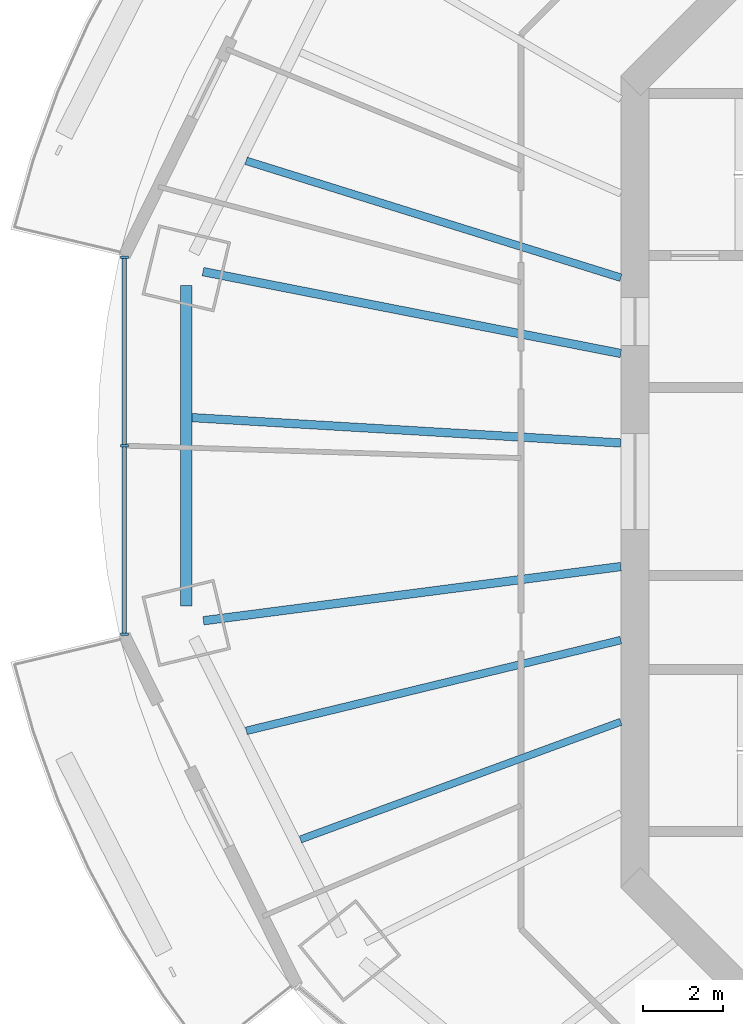
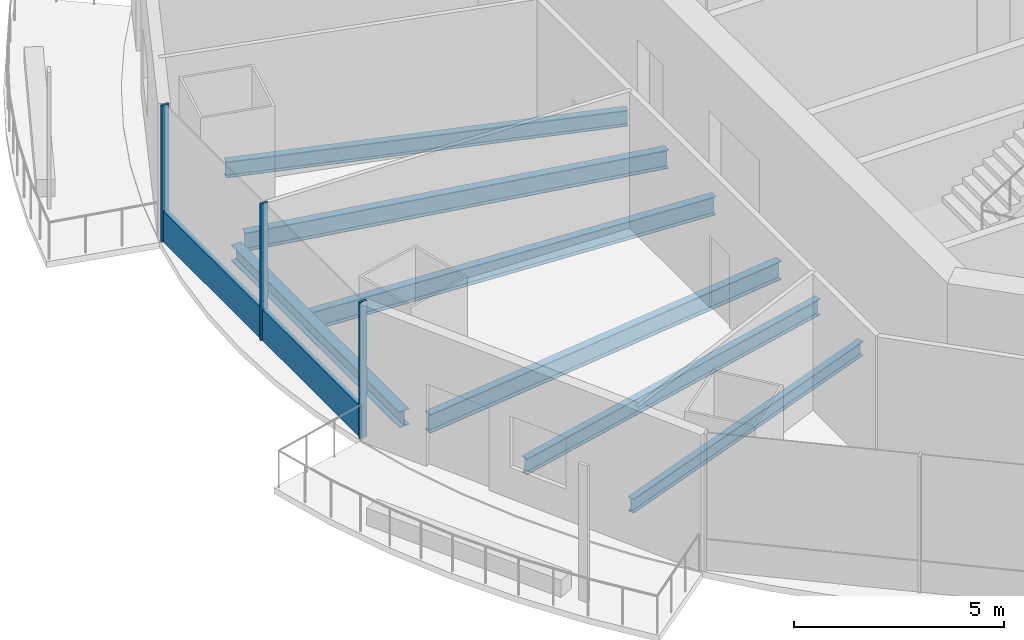
# One storey, part 3 of 16: 7 beams, 4 members, 1 element without a shape of its own.
"""IFC4 building model written with IfcOpenShell, lengths in metres."""

from ifc_helpers import new_model, si_unit, direction, frame, origin, origin_2d, place, context, subcontext, project, spatial, rectangle, i_section, extrude, material, material_profile, profile_set, type_object, element, aggregate, save


model = new_model("IFC4")

# Units and contexts
model_context = context("Model", 3, precision=1e-05, world=origin(), true_north=direction((0.0, 1.0)))
body_context = subcontext(model_context, "Body", "Model", "MODEL_VIEW")
ifc_project = project(units=[si_unit("LENGTHUNIT", "METRE"), si_unit("AREAUNIT", "SQUARE_METRE"), si_unit("VOLUMEUNIT", "CUBIC_METRE"), si_unit("PLANEANGLEUNIT", "RADIAN"), si_unit("MASSUNIT", "GRAM", prefix="KILO")], contexts=[model_context])

# Site, building, storey
site_placement = place(None, origin())
site = spatial("IfcSite", under=ifc_project, at=site_placement, CompositionType="ELEMENT")
building_placement = place(site_placement, origin())
building = spatial("IfcBuilding", under=site, at=building_placement, Name="Marenthal Gate Tower", CompositionType="ELEMENT")
storey_placement = place(building_placement, frame((0.0, 0.0, 288.64990234375)))
storey = spatial("IfcBuildingStorey", under=building, at=storey_placement, Name="L64", CompositionType="ELEMENT", Elevation=288.64990234375)

# Curtain wall, members
ifc_material_1 = material(Name="Aluminium and glass", Category="aluminium")
curtain_wall_type = type_object("IfcCurtainWallType", Name="Curtain wall typical high", PredefinedType="NOTDEFINED", material=ifc_material_1)
curtain_wall_placement = place(storey_placement, origin())
curtain_wall = element("IfcCurtainWall", 1, at=curtain_wall_placement, inside=storey, type_object=curtain_wall_type, Name="Curtain wall L64 bay 8", PredefinedType="NOTDEFINED")
ifc_material_2 = material(Name="Aluminium", Category="aluminium")
ifc_material_profile_1 = material_profile(ifc_material_2, rectangle(XDim=0.199951171875, YDim=0.06005859375, at=origin_2d()), Name="60x200 aluminium mullion")
ifc_profile_set_1 = profile_set([ifc_material_profile_1], Name="Aluminium")
member_type_1 = type_object("IfcMemberType", Name="Mullion 60x200 typical high", PredefinedType="MULLION", material=ifc_profile_set_1)
member_1_placement = place(storey_placement, frame((-28.76220703125, 5.611328125, 0.0), z_axis=(0.0, 0.0, 1.0), x_axis=(1.0, 0.0, 0.0)))
member_1 = element("IfcMember", 2, at=member_1_placement, type_object=member_type_1, Name="Mullion L64 bay 8.1", PredefinedType="MULLION", context=body_context, shape_type="SweptSolid", body=[
    extrude(rectangle(XDim=0.199951171875, YDim=0.06005859375, at=origin_2d()), origin(), (0.0, 0.0, 1.0), 3.97021484375),
])
member_2_placement = place(storey_placement, frame((-28.76220703125, 0.89990234375, 0.0), z_axis=(0.0, 0.0, 1.0), x_axis=(1.0, 0.0, 0.0)))
member_2 = element("IfcMember", 3, at=member_2_placement, type_object=member_type_1, Name="Mullion L64 bay 8.2", PredefinedType="MULLION", context=body_context, shape_type="SweptSolid", body=[
    extrude(rectangle(XDim=0.199951171875, YDim=0.06005859375, at=origin_2d()), origin(), (0.0, 0.0, 1.0), 3.97021484375),
])
member_3_placement = place(storey_placement, frame((-28.76220703125, -3.811279296875, 0.0), z_axis=(0.0, 0.0, 1.0), x_axis=(1.0, 0.0, 0.0)))
member_3 = element("IfcMember", 4, at=member_3_placement, type_object=member_type_1, Name="Mullion L64 bay 8.3", PredefinedType="MULLION", context=body_context, shape_type="SweptSolid", body=[
    extrude(rectangle(XDim=0.199951171875, YDim=0.06005859375, at=origin_2d()), origin(), (0.0, 0.0, 1.0), 3.97021484375),
])
ifc_material_3 = material(Name="Aluminium", Category="aluminium")
ifc_material_profile_2 = material_profile(ifc_material_3, rectangle(XDim=0.1201171875, YDim=0.89990234375, at=origin_2d()), Name="120x900 aluminium transom")
ifc_profile_set_2 = profile_set([ifc_material_profile_2], Name="Aluminium")
member_type_2 = type_object("IfcMemberType", Name="Transom 120x900 typical high", PredefinedType="USERDEFINED", material=ifc_profile_set_2)
member_4_placement = place(storey_placement, frame((-28.76220703125, 5.581298828125, 0.4501953125), z_axis=(0.0, -1.0, 0.0), x_axis=(1.0, 0.0, 0.0)))
member_4 = element("IfcMember", 5, at=member_4_placement, type_object=member_type_2, Name="Transom L64 bay 8", ObjectType="TRANSOM", PredefinedType="USERDEFINED", context=body_context, shape_type="SweptSolid", body=[
    extrude(rectangle(XDim=0.1201171875, YDim=0.89990234375, at=origin_2d()), origin(), (0.0, 0.0, 1.0), 9.362548828125),
])
aggregate(curtain_wall, [member_1, member_2, member_3, member_4])

# Beams
ifc_material_4 = material(Name="Steel S355", Category="steel")
ifc_material_profile_3 = material_profile(ifc_material_4, i_section(OverallWidth=0.180908203125, OverallDepth=0.4169921875, WebThickness=0.010986328125, FlangeThickness=0.018310546875, FilletRadius=0.01025390625, at=origin_2d()), Name="W410X85")
ifc_profile_set_3 = profile_set([ifc_material_profile_3], Name="Steel S355")
beam_type_1 = type_object("IfcBeamType", Name="W410X85 beam", PredefinedType="BEAM", material=ifc_profile_set_3)
beam_1_placement = place(storey_placement, frame((-24.359619140625, -8.9453125, -0.388427734375), z_axis=(0.938711900475, 0.344702723962, 0.0), x_axis=(-0.344702723962, 0.938711900475, 0.0)))
element("IfcBeam", 6, at=beam_1_placement, inside=storey, type_object=beam_type_1, Name="BM-L64-30", PredefinedType="BEAM", context=body_context, shape_type="SweptSolid", body=[
    extrude(i_section(OverallWidth=0.180908203125, OverallDepth=0.4169921875, WebThickness=0.010986328125, FlangeThickness=0.018310546875, FilletRadius=0.01025390625, at=origin_2d()), origin(), (0.0, 0.0, 1.0), 8.532470703125),
])
ifc_material_5 = material(Name="Steel S355", Category="steel")
ifc_material_profile_4 = material_profile(ifc_material_5, i_section(OverallWidth=0.279052734375, OverallDepth=0.4619140625, WebThickness=0.0107421875, FlangeThickness=0.017333984375, FilletRadius=0.010009765625, at=origin_2d()), Name="W460X113")
ifc_profile_set_4 = profile_set([ifc_material_profile_4], Name="Steel S355")
beam_type_2 = type_object("IfcBeamType", Name="W460X113 beam", PredefinedType="BEAM", material=ifc_profile_set_4)
beam_2_placement = place(storey_placement, frame((-27.212646484375, 4.90771484375, -0.410888671875), z_axis=(0.0, -1.0, 0.0), x_axis=(1.0, 0.0, 0.0)))
element("IfcBeam", 7, at=beam_2_placement, inside=storey, type_object=beam_type_2, Name="BM-L64-48", PredefinedType="BEAM", context=body_context, shape_type="SweptSolid", body=[
    extrude(i_section(OverallWidth=0.279052734375, OverallDepth=0.4619140625, WebThickness=0.0107421875, FlangeThickness=0.017333984375, FilletRadius=0.010009765625, at=origin_2d()), origin(), (0.0, 0.0, 1.0), 8.015380859375),
])
ifc_material_6 = material(Name="Steel S355", Category="steel")
ifc_material_profile_5 = material_profile(ifc_material_6, i_section(OverallWidth=0.193115234375, OverallDepth=0.467041015625, WebThickness=0.011474609375, FlangeThickness=0.01904296875, FilletRadius=0.010009765625, at=origin_2d()), Name="W460X97")
ifc_profile_set_5 = profile_set([ifc_material_profile_5], Name="Steel S355")
beam_type_3 = type_object("IfcBeamType", Name="W460X97 beam", PredefinedType="BEAM", material=ifc_profile_set_5)
beam_3_placement = place(storey_placement, frame((-25.71728515625, 8.021240234375, -0.413330078125), z_axis=(0.954642758958, -0.297753594048, 0.0), x_axis=(0.297753594048, 0.954642758958, 0.0)))
element("IfcBeam", 8, at=beam_3_placement, inside=storey, type_object=beam_type_3, Name="BM-L64-27", PredefinedType="BEAM", context=body_context, shape_type="SweptSolid", body=[
    extrude(i_section(OverallWidth=0.193115234375, OverallDepth=0.467041015625, WebThickness=0.011474609375, FlangeThickness=0.01904296875, FilletRadius=0.010009765625, at=origin_2d()), origin(), (0.0, 0.0, 1.0), 9.812255859375),
])
beam_4_placement = place(storey_placement, frame((-25.712890625, -6.229736328125, -0.413330078125), z_axis=(0.971878935492, 0.235481070889, 0.0), x_axis=(-0.235481070889, 0.971878935492, 0.0)))
element("IfcBeam", 9, at=beam_4_placement, inside=storey, type_object=beam_type_3, Name="BM-L64-29", PredefinedType="BEAM", context=body_context, shape_type="SweptSolid", body=[
    extrude(i_section(OverallWidth=0.193115234375, OverallDepth=0.467041015625, WebThickness=0.011474609375, FlangeThickness=0.01904296875, FilletRadius=0.010009765625, at=origin_2d()), origin(), (0.0, 0.0, 1.0), 9.6337890625),
])
ifc_material_7 = material(Name="Steel S355", Category="steel")
ifc_material_profile_6 = material_profile(ifc_material_7, i_section(OverallWidth=0.2099609375, OverallDepth=0.535888671875, WebThickness=0.010986328125, FlangeThickness=0.017333984375, FilletRadius=0.0126953125, at=origin_2d()), Name="W530X101")
ifc_profile_set_6 = profile_set([ifc_material_profile_6], Name="Steel S355")
beam_type_4 = type_object("IfcBeamType", Name="W530X101 beam", PredefinedType="BEAM", material=ifc_profile_set_6)
beam_5_placement = place(storey_placement, frame((-27.0732421875, 1.60107421875, -0.447998046875), z_axis=(0.998255197451, -0.059047106302, 0.0), x_axis=(0.059047106302, 0.998255197451, 0.0)))
element("IfcBeam", 10, at=beam_5_placement, inside=storey, type_object=beam_type_4, Name="BM-L64-28", PredefinedType="BEAM", context=body_context, shape_type="SweptSolid", body=[
    extrude(i_section(OverallWidth=0.2099609375, OverallDepth=0.535888671875, WebThickness=0.010986328125, FlangeThickness=0.017333984375, FilletRadius=0.0126953125, at=origin_2d()), origin(), (0.0, 0.0, 1.0), 10.741943359375),
])
ifc_material_8 = material(Name="Steel S355", Category="steel")
ifc_material_profile_7 = material_profile(ifc_material_8, i_section(OverallWidth=0.2119140625, OverallDepth=0.5439453125, WebThickness=0.01318359375, FlangeThickness=0.021240234375, FilletRadius=0.0126953125, at=origin_2d()), Name="W530X123")
ifc_profile_set_7 = profile_set([ifc_material_profile_7], Name="Steel S355")
beam_type_5 = type_object("IfcBeamType", Name="W530X123 beam", PredefinedType="BEAM", material=ifc_profile_set_7)
beam_6_placement = place(storey_placement, frame((-26.794921875, 5.251220703125, -0.451904296875), z_axis=(0.9813294573, -0.192334334521, 0.0), x_axis=(0.192334334521, 0.9813294573, 0.0)))
element("IfcBeam", 11, at=beam_6_placement, inside=storey, type_object=beam_type_5, Name="BM-L64-08", PredefinedType="BEAM", context=body_context, shape_type="SweptSolid", body=[
    extrude(i_section(OverallWidth=0.2119140625, OverallDepth=0.5439453125, WebThickness=0.01318359375, FlangeThickness=0.021240234375, FilletRadius=0.0126953125, at=origin_2d()), origin(), (0.0, 0.0, 1.0), 10.6435546875),
])
beam_7_placement = place(storey_placement, frame((-26.785888671875, -3.4775390625, -0.451904296875), z_axis=(0.991678883183, 0.128736135753, 0.0), x_axis=(-0.128736135753, 0.991678883183, 0.0)))
element("IfcBeam", 12, at=beam_7_placement, inside=storey, type_object=beam_type_5, Name="BM-L64-09", PredefinedType="BEAM", context=body_context, shape_type="SweptSolid", body=[
    extrude(i_section(OverallWidth=0.2119140625, OverallDepth=0.5439453125, WebThickness=0.01318359375, FlangeThickness=0.021240234375, FilletRadius=0.0126953125, at=origin_2d()), origin(), (0.0, 0.0, 1.0), 10.5234375),
])

save(model, "model.ifc")
